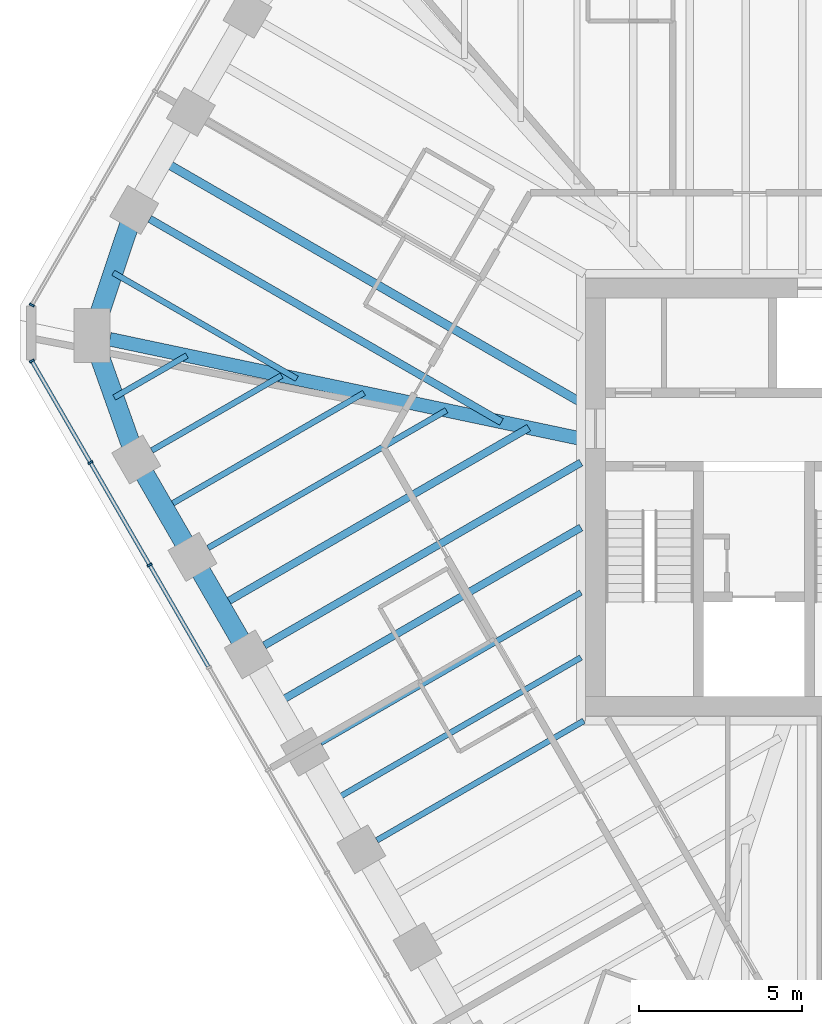
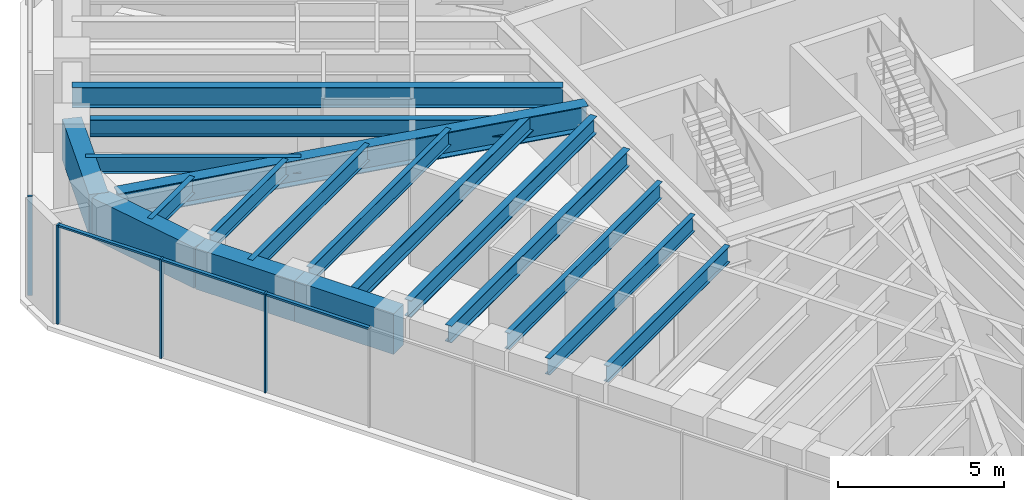
# One storey, part 3 of 14: 18 beams, 7 members, 2 elements without a shape of their own.
"""IFC4 building model written with IfcOpenShell, lengths in metres."""

import ifcopenshell
import ifcopenshell.guid

model = None  # the IFC model being written
_history = None  # IfcOwnerHistory: only IFC2X3 demands one
_inside = {}  # id of a spatial element -> (the spatial element, [elements in it])
_under = {}  # id of a project, library or spatial element -> (it, [spatial elements below it])
_declared = {}  # id of a project -> (the project, [libraries it declares])
_typed = {}  # id of a type object -> (the type object, [elements of that type])
_made_of = {}  # id of a material, layer set ... -> (it, [elements and type objects made of it])


def new_model(schema):
    """Start an empty IFC model of exactly this schema.

    Asked for "IFC4X3", IfcOpenShell would pick the latest addendum, in which some entities
    have other attributes; the version numbers below select the first issue.
    IFC2X3 requires an IfcOwnerHistory on every rooted entity: one is made here for all.
    """
    global model, _history
    if schema == "IFC4X3":
        model = ifcopenshell.file(schema_version=(4, 3, 0, 0))
    else:
        model = ifcopenshell.file(schema=schema)
    _inside.clear()
    _under.clear()
    _declared.clear()
    _typed.clear()
    _made_of.clear()
    _history = None
    if model.schema == "IFC2X3":
        org = make("IfcOrganization", Name="unknown")
        user = make(
            "IfcPersonAndOrganization",
            ThePerson=make("IfcPerson", FamilyName="unknown"),
            TheOrganization=org,
        )
        app = make(
            "IfcApplication",
            ApplicationDeveloper=org,
            Version="unknown",
            ApplicationFullName="unknown",
            ApplicationIdentifier="unknown",
        )
        _history = make(
            "IfcOwnerHistory",
            OwningUser=user,
            OwningApplication=app,
            ChangeAction="ADDED",
            CreationDate=0,
        )
    return model


def make(cls, **values):
    """One entity of the class cls with the attributes given. An attribute that is None is left unset."""
    return model.create_entity(
        cls, **{name: value for name, value in values.items() if value is not None}
    )


def rooted(cls, **values):
    """An entity with a GlobalId (a new one), such as an element, a storey or a relation."""
    return make(cls, GlobalId=ifcopenshell.guid.new(), OwnerHistory=_history, **values)


def si_unit(unit_type, name, prefix=None):
    """IfcSIUnit, for example si_unit("LENGTHUNIT", "METRE", prefix="MILLI")."""
    return make("IfcSIUnit", UnitType=unit_type, Prefix=prefix, Name=name)


def assignment(units):
    """IfcUnitAssignment: the units of a project."""
    return None if units is None else make("IfcUnitAssignment", Units=units)


def point(xyz):
    """IfcCartesianPoint."""
    return None if xyz is None else make("IfcCartesianPoint", Coordinates=xyz)


def direction(xyz):
    """IfcDirection."""
    return None if xyz is None else make("IfcDirection", DirectionRatios=xyz)


def frame(location, z_axis=None, x_axis=None):
    """IfcAxis2Placement3D, a coordinate frame: its origin and axes. An axis left out is left unset."""
    return make(
        "IfcAxis2Placement3D",
        Location=point(location),
        Axis=direction(z_axis),
        RefDirection=direction(x_axis),
    )


def frame_2d(location, x_axis=None):
    """IfcAxis2Placement2D, a coordinate frame in the plane: its origin and x axis."""
    return make(
        "IfcAxis2Placement2D", Location=point(location), RefDirection=direction(x_axis)
    )


def origin():
    """The frame at (0, 0, 0) with its axes left unset."""
    return frame((0.0, 0.0, 0.0))


def origin_2d():
    """The frame at (0, 0) in the plane with its x axis left unset."""
    return frame_2d((0.0, 0.0))


def place(relative_to, where):
    """IfcLocalPlacement: puts the frame where relative to a parent placement (None: the world)."""
    return make(
        "IfcLocalPlacement", PlacementRelTo=relative_to, RelativePlacement=where
    )


def context(
    kind, dimensions, precision=None, world=None, true_north=None, identifier=None
):
    """IfcGeometricRepresentationContext, for example the 3D "Model" context."""
    return make(
        "IfcGeometricRepresentationContext",
        ContextIdentifier=identifier,
        ContextType=kind,
        CoordinateSpaceDimension=dimensions,
        Precision=precision,
        WorldCoordinateSystem=world,
        TrueNorth=true_north,
    )


def subcontext(parent, identifier, kind, view, scale=None):
    """IfcGeometricRepresentationSubContext, for example "Body" below "Model"."""
    return make(
        "IfcGeometricRepresentationSubContext",
        ContextIdentifier=identifier,
        ContextType=kind,
        ParentContext=parent,
        TargetScale=scale,
        TargetView=view,
    )


def project(units=None, contexts=None):
    """IfcProject with its units and contexts."""
    return rooted(
        "IfcProject",
        Name="project",
        RepresentationContexts=contexts,
        UnitsInContext=assignment(units),
    )


def spatial(cls, under=None, at=None, **own):
    """A site, building, storey or space (cls), placed at a placement, below another one or the project."""
    s = rooted(cls, ObjectPlacement=at, **own)
    if under is not None:
        _under.setdefault(under.id(), (under, []))[1].append(s)
    return s


def profile(cls, at=None, kind="AREA", **sizes):
    """A parametric profile (cls). Its sizes go by their IFC names, for example OverallWidth=200.0."""
    return make(cls, ProfileType=kind, Position=at, **sizes)


def rectangle(**sizes):
    """IfcRectangleProfileDef."""
    return profile("IfcRectangleProfileDef", **sizes)


def i_section(**sizes):
    """IfcIShapeProfileDef."""
    return profile("IfcIShapeProfileDef", **sizes)


def extrude(swept, where, along, depth):
    """IfcExtrudedAreaSolid: the profile swept, set in the frame where, extruded along a direction by depth."""
    return make(
        "IfcExtrudedAreaSolid",
        SweptArea=swept,
        Position=where,
        ExtrudedDirection=direction(along),
        Depth=depth,
    )


def shape(context_of_items, identifier, shape_type, items):
    """IfcShapeRepresentation: the items that make up one representation, for example the "Body"."""
    return make(
        "IfcShapeRepresentation",
        ContextOfItems=context_of_items,
        RepresentationIdentifier=identifier,
        RepresentationType=shape_type,
        Items=items,
    )


def material(Name=None, Category=None):
    """IfcMaterial."""
    return make("IfcMaterial", Name=Name, Category=Category)


def material_profile(
    of_material, cross_section, Name=None, Category=None, Priority=None
):
    """IfcMaterialProfile: a cross section and its material."""
    return make(
        "IfcMaterialProfile",
        Name=Name,
        Material=of_material,
        Profile=cross_section,
        Priority=Priority,
        Category=Category,
    )


def profile_set(profiles, Name=None, composite=None):
    """IfcMaterialProfileSet."""
    return make(
        "IfcMaterialProfileSet",
        Name=Name,
        MaterialProfiles=profiles,
        CompositeProfile=composite,
    )


def made_of(thing, what):
    """Note that an element or type object is made of a material, layer set ...; save() writes the relation."""
    if what is not None:
        _made_of.setdefault(what.id(), (what, []))[1].append(thing)
    return thing


def type_object(cls, material=None, **own):
    """A type object (cls), such as IfcWallType, which elements share."""
    return made_of(rooted(cls, **own), material)


def element(
    cls,
    number,
    at=None,
    inside=None,
    cuts=None,
    type_object=None,
    material=None,
    context=None,
    identifier="Body",
    shape_type=None,
    held_by="IfcProductDefinitionShape",
    body=None,
    shapes=None,
    **own,
):
    """One element of the class cls, such as IfcWall. Its Tag is "e" and its number.

    at: its placement. inside: the storey or other place that contains it. cuts: it is an
    opening in that element (IfcRelVoidsElement). A single representation is given by context,
    identifier, shape_type and body (its items); several are given by shapes. held_by: the class
    of the entity that holds the representations. save() writes the other relations.
    """
    e = rooted(cls, Tag="e%d" % number, ObjectPlacement=at, **own)
    if body is not None:
        shapes = [shape(context, identifier, shape_type, body)]
    if shapes is not None:
        e.Representation = make(held_by, Representations=shapes)
    if inside is not None:
        _inside.setdefault(inside.id(), (inside, []))[1].append(e)
    if cuts is not None:
        rooted(
            "IfcRelVoidsElement", RelatingBuildingElement=cuts, RelatedOpeningElement=e
        )
    if type_object is not None:
        _typed.setdefault(type_object.id(), (type_object, []))[1].append(e)
    return made_of(e, material)


def aggregate(whole, parts):
    """IfcRelAggregates: a whole, such as a stair, and the parts it consists of."""
    return rooted("IfcRelAggregates", RelatingObject=whole, RelatedObjects=parts)


def save(model, path):
    """Write the relations noted so far, then the file.

    IfcRelAggregates (storeys below a building ...), IfcRelContainedInSpatialStructure (elements
    in a storey), IfcRelDefinesByType, IfcRelAssociatesMaterial and IfcRelDeclares: one each for
    every whole, place, type object, material and project.
    """
    for whole, parts in _under.values():
        aggregate(whole, parts)
    for where, things in _inside.values():
        rooted(
            "IfcRelContainedInSpatialStructure",
            RelatedElements=things,
            RelatingStructure=where,
        )
    for kind, things in _typed.values():
        rooted("IfcRelDefinesByType", RelatedObjects=things, RelatingType=kind)
    for what, things in _made_of.values():
        rooted("IfcRelAssociatesMaterial", RelatedObjects=things, RelatingMaterial=what)
    for by, libraries in _declared.values():
        rooted("IfcRelDeclares", RelatingContext=by, RelatedDefinitions=libraries)
    model.write(path)


model = new_model("IFC4")

# Units and contexts
model_context = context("Model", 3, precision=1e-05, world=origin(), true_north=direction((0.0, 1.0)))
body_context = subcontext(model_context, "Body", "Model", "MODEL_VIEW")
ifc_project = project(units=[si_unit("LENGTHUNIT", "METRE"), si_unit("AREAUNIT", "SQUARE_METRE"), si_unit("VOLUMEUNIT", "CUBIC_METRE"), si_unit("PLANEANGLEUNIT", "RADIAN"), si_unit("MASSUNIT", "GRAM", prefix="KILO")], contexts=[model_context])

# Site, building, storey
site_placement = place(None, origin())
site = spatial("IfcSite", under=ifc_project, at=site_placement, CompositionType="ELEMENT")
building_placement = place(site_placement, origin())
building = spatial("IfcBuilding", under=site, at=building_placement, Name="Sandreach Pilgrim Tower", CompositionType="ELEMENT")
storey_placement = place(building_placement, frame((0.0, 0.0, 276.0)))
storey = spatial("IfcBuildingStorey", under=building, at=storey_placement, Name="L69", CompositionType="ELEMENT", Elevation=276.0)

# Curtain wall, members
ifc_material_1 = material(Name="Aluminium framed curtain wall", Category="aluminium")
curtain_wall_type = type_object("IfcCurtainWallType", Name="Suite tower curtain wall", PredefinedType="NOTDEFINED", material=ifc_material_1)
curtain_wall_1_placement = place(storey_placement, origin())
curtain_wall_1 = element("IfcCurtainWall", 1, at=curtain_wall_1_placement, inside=storey, type_object=curtain_wall_type, Name="CW-4 L69 SW", PredefinedType="NOTDEFINED")
ifc_material_2 = material(Name="Aluminium extrusion", Category="aluminium")
ifc_material_profile_1 = material_profile(ifc_material_2, rectangle(XDim=0.06005859375, YDim=0.159912109375, at=origin_2d()), Name="CW-4M 60X160")
ifc_profile_set_1 = profile_set([ifc_material_profile_1], Name="Aluminium extrusion")
member_type_1 = type_object("IfcMemberType", Name="CW-4 mullion", PredefinedType="MULLION", material=ifc_profile_set_1)
member_1_placement = place(storey_placement, frame((-21.697509765625, -2.071533203125, 0.0), z_axis=(0.0, 0.0, 1.0), x_axis=(-0.5, 0.866025403784, 0.0)))
member_1 = element("IfcMember", 2, at=member_1_placement, type_object=member_type_1, Name="CW-4 mullion 8", PredefinedType="MULLION", context=body_context, shape_type="SweptSolid", body=[
    extrude(rectangle(XDim=0.06005859375, YDim=0.159912109375, at=origin_2d()), origin(), (0.0, 0.0, 1.0), 3.639892578125),
])
member_2_placement = place(storey_placement, frame((-23.508544921875, 1.06494140625, 0.0), z_axis=(0.0, 0.0, 1.0), x_axis=(-0.5, 0.866025403784, 0.0)))
member_2 = element("IfcMember", 3, at=member_2_placement, type_object=member_type_1, Name="CW-4 mullion 9", PredefinedType="MULLION", context=body_context, shape_type="SweptSolid", body=[
    extrude(rectangle(XDim=0.06005859375, YDim=0.159912109375, at=origin_2d()), origin(), (0.0, 0.0, 1.0), 3.639892578125),
])
member_3_placement = place(storey_placement, frame((-25.304443359375, 4.175537109375, 0.0), z_axis=(0.0, 0.0, 1.0), x_axis=(-0.5, 0.866025403784, 0.0)))
member_3 = element("IfcMember", 4, at=member_3_placement, type_object=member_type_1, Name="CW-4 mullion 10", PredefinedType="MULLION", context=body_context, shape_type="SweptSolid", body=[
    extrude(rectangle(XDim=0.06005859375, YDim=0.159912109375, at=origin_2d()), origin(), (0.0, 0.0, 1.0), 3.639892578125),
])

# Curtain wall, member
curtain_wall_2_placement = place(storey_placement, origin())
curtain_wall_2 = element("IfcCurtainWall", 5, at=curtain_wall_2_placement, inside=storey, type_object=curtain_wall_type, Name="CW-4 L69 NW", PredefinedType="NOTDEFINED")
member_4_placement = place(storey_placement, frame((-25.304443359375, 5.8876953125, 0.0), z_axis=(0.0, 0.0, 1.0), x_axis=(0.5, 0.866025403784, 0.0)))
member_4 = element("IfcMember", 6, at=member_4_placement, type_object=member_type_1, Name="CW-4 mullion 1", PredefinedType="MULLION", context=body_context, shape_type="SweptSolid", body=[
    extrude(rectangle(XDim=0.06005859375, YDim=0.159912109375, at=origin_2d()), origin(), (0.0, 0.0, 1.0), 3.639892578125),
])
aggregate(curtain_wall_2, [member_4])

# Member
ifc_material_3 = material(Name="Aluminium extrusion", Category="aluminium")
ifc_material_profile_2 = material_profile(ifc_material_3, rectangle(XDim=0.1201171875, YDim=0.070068359375, at=origin_2d()), Name="CW-4T 120X70")
ifc_profile_set_2 = profile_set([ifc_material_profile_2], Name="Aluminium extrusion")
member_type_2 = type_object("IfcMemberType", Name="CW-4 transom", PredefinedType="USERDEFINED", material=ifc_profile_set_2)
member_5_placement = place(storey_placement, frame((-19.901611328125, -5.182373046875, 3.60498046875), z_axis=(-0.500009219579, 0.866020080793, 0.0), x_axis=(-0.866020080793, -0.500009219579, 0.0)))
member_5 = element("IfcMember", 7, at=member_5_placement, type_object=member_type_2, Name="CW-4 head transom 7", ObjectType="TRANSOM", PredefinedType="USERDEFINED", context=body_context, shape_type="SweptSolid", body=[
    extrude(rectangle(XDim=0.1201171875, YDim=0.070068359375, at=origin_2d()), origin(), (0.0, 0.0, 1.0), 3.56201171875),
])

member_6_placement = place(storey_placement, frame((-21.71240234375, -2.045654296875, 3.60498046875), z_axis=(-0.500009219579, 0.866020080793, 0.0), x_axis=(-0.866020080793, -0.500009219579, 0.0)))
member_6 = element("IfcMember", 8, at=member_6_placement, type_object=member_type_2, Name="CW-4 head transom 8", ObjectType="TRANSOM", PredefinedType="USERDEFINED", context=body_context, shape_type="SweptSolid", body=[
    extrude(rectangle(XDim=0.1201171875, YDim=0.070068359375, at=origin_2d()), origin(), (0.0, 0.0, 1.0), 3.56201171875),
])

member_7_placement = place(storey_placement, frame((-23.5234375, 1.091064453125, 3.60498046875), z_axis=(-0.499997709859, 0.866026725994, 0.0), x_axis=(-0.866026725994, -0.499997709859, 0.0)))
member_7 = element("IfcMember", 9, at=member_7_placement, type_object=member_type_2, Name="CW-4 head transom 9", ObjectType="TRANSOM", PredefinedType="USERDEFINED", context=body_context, shape_type="SweptSolid", body=[
    extrude(rectangle(XDim=0.1201171875, YDim=0.070068359375, at=origin_2d()), origin(), (0.0, 0.0, 1.0), 3.53173828125),
])

aggregate(curtain_wall_1, [member_1, member_2, member_3, member_5, member_6, member_7])

# Beams
ifc_material_4 = material(Name="Steel ASTM A992 Grade 50", Category="steel")
ifc_material_profile_3 = material_profile(ifc_material_4, i_section(OverallWidth=0.419189453125, OverallDepth=0.927001953125, WebThickness=0.019287109375, FlangeThickness=0.031982421875, at=origin_2d()), Name="W36X231")
ifc_profile_set_3 = profile_set([ifc_material_profile_3], Name="Steel ASTM A992 Grade 50")
beam_type_1 = type_object("IfcBeamType", Name="Corner girder W36X231", PredefinedType="BEAM", material=ifc_profile_set_3)
beam_1_placement = place(storey_placement, frame((-22.917724609375, 4.838623046875, 3.176513671875), z_axis=(0.978430270369, -0.206577360876, 0.0), x_axis=(0.206577360876, 0.978430270369, 0.0)))
element("IfcBeam", 10, at=beam_1_placement, inside=storey, type_object=beam_type_1, Name="BM L69 CG35", PredefinedType="BEAM", context=body_context, shape_type="SweptSolid", body=[
    extrude(i_section(OverallWidth=0.419189453125, OverallDepth=0.927001953125, WebThickness=0.019287109375, FlangeThickness=0.031982421875, at=origin_2d()), origin(), (0.0, 0.0, 1.0), 14.888671875),
])
ifc_material_5 = material(Name="Steel ASTM A992 Grade 50", Category="steel")
ifc_material_profile_4 = material_profile(ifc_material_5, i_section(OverallWidth=0.1787109375, OverallDepth=0.60205078125, WebThickness=0.010986328125, FlangeThickness=0.014892578125, at=origin_2d()), Name="W24X62")
ifc_profile_set_4 = profile_set([ifc_material_profile_4], Name="Steel ASTM A992 Grade 50")
beam_type_2 = type_object("IfcBeamType", Name="Floor beam W24X62", PredefinedType="BEAM", material=ifc_profile_set_4)
beam_2_placement = place(storey_placement, frame((-14.741455078125, -10.5, 3.339111328125), z_axis=(0.866019920622, 0.500009496996, 0.0), x_axis=(-0.500009496996, 0.866019920622, 0.0)))
element("IfcBeam", 11, at=beam_2_placement, inside=storey, type_object=beam_type_2, Name="BM L69 F30", PredefinedType="BEAM", context=body_context, shape_type="SweptSolid", body=[
    extrude(i_section(OverallWidth=0.1787109375, OverallDepth=0.60205078125, WebThickness=0.010986328125, FlangeThickness=0.014892578125, at=origin_2d()), origin(), (0.0, 0.0, 1.0), 7.313232421875),
])
beam_3_placement = place(storey_placement, frame((-16.4638671875, -7.516357421875, 3.339111328125), z_axis=(0.866022580836, 0.500004889459, 0.0), x_axis=(-0.500004889459, 0.866022580836, 0.0)))
element("IfcBeam", 12, at=beam_3_placement, inside=storey, type_object=beam_type_2, Name="BM L69 F31", PredefinedType="BEAM", context=body_context, shape_type="SweptSolid", body=[
    extrude(i_section(OverallWidth=0.1787109375, OverallDepth=0.60205078125, WebThickness=0.010986328125, FlangeThickness=0.014892578125, at=origin_2d()), origin(), (0.0, 0.0, 1.0), 9.20361328125),
])
beam_4_placement = place(storey_placement, frame((-19.908935546875, -1.549560546875, 3.339111328125), z_axis=(0.866026819143, 0.499997548519, 0.0), x_axis=(-0.499997548519, 0.866026819143, 0.0)))
element("IfcBeam", 13, at=beam_4_placement, inside=storey, type_object=beam_type_2, Name="BM L69 F33", PredefinedType="BEAM", context=body_context, shape_type="SweptSolid", body=[
    extrude(i_section(OverallWidth=0.1787109375, OverallDepth=0.60205078125, WebThickness=0.010986328125, FlangeThickness=0.014892578125, at=origin_2d()), origin(), (0.0, 0.0, 1.0), 8.4248046875),
])
beam_5_placement = place(storey_placement, frame((-21.631591796875, 1.433837890625, 3.339111328125), z_axis=(0.866037621819, 0.499978837146, 0.0), x_axis=(-0.499978837146, 0.866037621819, 0.0)))
element("IfcBeam", 14, at=beam_5_placement, inside=storey, type_object=beam_type_2, Name="BM L69 F34", PredefinedType="BEAM", context=body_context, shape_type="SweptSolid", body=[
    extrude(i_section(OverallWidth=0.1787109375, OverallDepth=0.60205078125, WebThickness=0.010986328125, FlangeThickness=0.014892578125, at=origin_2d()), origin(), (0.0, 0.0, 1.0), 4.588623046875),
])
beam_6_placement = place(storey_placement, frame((-16.0791015625, -9.283203125, 3.339111328125), z_axis=(0.866023595995, 0.500003131169, 0.0), x_axis=(-0.500003131169, 0.866023595995, 0.0)))
element("IfcBeam", 15, at=beam_6_placement, inside=storey, type_object=beam_type_2, Name="BM L69 FM30", PredefinedType="BEAM", context=body_context, shape_type="SweptSolid", body=[
    extrude(i_section(OverallWidth=0.1787109375, OverallDepth=0.60205078125, WebThickness=0.010986328125, FlangeThickness=0.014892578125, at=origin_2d()), origin(), (0.0, 0.0, 1.0), 8.75927734375),
])
beam_7_placement = place(storey_placement, frame((-21.24658203125, -0.332763671875, 3.339111328125), z_axis=(0.866028878405, 0.499993981732, 0.0), x_axis=(-0.499993981732, 0.866028878405, 0.0)))
element("IfcBeam", 16, at=beam_7_placement, inside=storey, type_object=beam_type_2, Name="BM L69 FM33", PredefinedType="BEAM", context=body_context, shape_type="SweptSolid", body=[
    extrude(i_section(OverallWidth=0.1787109375, OverallDepth=0.60205078125, WebThickness=0.010986328125, FlangeThickness=0.014892578125, at=origin_2d()), origin(), (0.0, 0.0, 1.0), 7.056640625),
])
beam_8_placement = place(storey_placement, frame((-22.78173828125, 3.0556640625, 3.339111328125), z_axis=(0.8660004255, 0.500043261163, 0.0), x_axis=(-0.500043261163, 0.8660004255, 0.0)))
element("IfcBeam", 17, at=beam_8_placement, inside=storey, type_object=beam_type_2, Name="BM L69 FM34", PredefinedType="BEAM", context=body_context, shape_type="SweptSolid", body=[
    extrude(i_section(OverallWidth=0.1787109375, OverallDepth=0.60205078125, WebThickness=0.010986328125, FlangeThickness=0.014892578125, at=origin_2d()), origin(), (0.0, 0.0, 1.0), 2.569091796875),
])
beam_9_placement = place(storey_placement, frame((-22.8125, 6.875, 3.339111328125), z_axis=(0.866023980233, -0.500002465655, 0.0), x_axis=(0.500002465655, 0.866023980233, 0.0)))
element("IfcBeam", 18, at=beam_9_placement, inside=storey, type_object=beam_type_2, Name="BM L69 FM35", PredefinedType="BEAM", context=body_context, shape_type="SweptSolid", body=[
    extrude(i_section(OverallWidth=0.1787109375, OverallDepth=0.60205078125, WebThickness=0.010986328125, FlangeThickness=0.014892578125, at=origin_2d()), origin(), (0.0, 0.0, 1.0), 6.49072265625),
])
ifc_material_6 = material(Name="Steel ASTM A992 Grade 50", Category="steel")
ifc_material_profile_5 = material_profile(ifc_material_6, i_section(OverallWidth=0.23046875, OverallDepth=0.6171875, WebThickness=0.01318359375, FlangeThickness=0.022216796875, at=origin_2d()), Name="W24X94")
ifc_profile_set_5 = profile_set([ifc_material_profile_5], Name="Steel ASTM A992 Grade 50")
beam_type_3 = type_object("IfcBeamType", Name="Floor beam W24X94", PredefinedType="BEAM", material=ifc_profile_set_5)
beam_10_placement = place(storey_placement, frame((-18.1865234375, -4.532958984375, 3.331298828125), z_axis=(0.866030482771, 0.499991202833, 0.0), x_axis=(-0.499991202833, 0.866030482771, 0.0)))
element("IfcBeam", 19, at=beam_10_placement, inside=storey, type_object=beam_type_3, Name="BM L69 F32", PredefinedType="BEAM", context=body_context, shape_type="SweptSolid", body=[
    extrude(i_section(OverallWidth=0.23046875, OverallDepth=0.6171875, WebThickness=0.01318359375, FlangeThickness=0.022216796875, at=origin_2d()), origin(), (0.0, 0.0, 1.0), 11.192626953125),
])
beam_11_placement = place(storey_placement, frame((-21.69287109375, 8.522705078125, 3.331298828125), z_axis=(0.866028931402, -0.499993889937, 0.0), x_axis=(0.499993889937, 0.866028931402, 0.0)))
element("IfcBeam", 20, at=beam_11_placement, inside=storey, type_object=beam_type_3, Name="BM L69 F36", PredefinedType="BEAM", context=body_context, shape_type="SweptSolid", body=[
    extrude(i_section(OverallWidth=0.23046875, OverallDepth=0.6171875, WebThickness=0.01318359375, FlangeThickness=0.022216796875, at=origin_2d()), origin(), (0.0, 0.0, 1.0), 12.431396484375),
])
beam_12_placement = place(storey_placement, frame((-17.801513671875, -6.2998046875, 3.331298828125), z_axis=(0.866025958161, 0.49999903979, 0.0), x_axis=(-0.49999903979, 0.866025958161, 0.0)))
element("IfcBeam", 21, at=beam_12_placement, inside=storey, type_object=beam_type_3, Name="BM L69 FM31", PredefinedType="BEAM", context=body_context, shape_type="SweptSolid", body=[
    extrude(i_section(OverallWidth=0.23046875, OverallDepth=0.6171875, WebThickness=0.01318359375, FlangeThickness=0.022216796875, at=origin_2d()), origin(), (0.0, 0.0, 1.0), 10.748046875),
])
beam_13_placement = place(storey_placement, frame((-19.52392578125, -3.316162109375, 3.331298828125), z_axis=(0.866029205616, 0.499993414976, 0.0), x_axis=(-0.499993414976, 0.866029205616, 0.0)))
element("IfcBeam", 22, at=beam_13_placement, inside=storey, type_object=beam_type_3, Name="BM L69 FM32", PredefinedType="BEAM", context=body_context, shape_type="SweptSolid", body=[
    extrude(i_section(OverallWidth=0.23046875, OverallDepth=0.6171875, WebThickness=0.01318359375, FlangeThickness=0.022216796875, at=origin_2d()), origin(), (0.0, 0.0, 1.0), 10.893310546875),
])
ifc_material_7 = material(Name="Steel ASTM A992 Grade 50", Category="steel")
ifc_material_profile_6 = material_profile(ifc_material_7, i_section(OverallWidth=0.2666015625, OverallDepth=0.761962890625, WebThickness=0.014404296875, FlangeThickness=0.021484375, at=origin_2d()), Name="W30X116")
ifc_profile_set_6 = profile_set([ifc_material_profile_6], Name="Steel ASTM A992 Grade 50")
beam_type_4 = type_object("IfcBeamType", Name="Floor beam W30X116", PredefinedType="BEAM", material=ifc_profile_set_6)
beam_14_placement = place(storey_placement, frame((-21.302978515625, 10.29833984375, 3.259033203125), z_axis=(0.866028362181, -0.499994875871, 0.0), x_axis=(0.499994875871, 0.866028362181, 0.0)))
element("IfcBeam", 23, at=beam_14_placement, inside=storey, type_object=beam_type_4, Name="BM L69 FM36", PredefinedType="BEAM", context=body_context, shape_type="SweptSolid", body=[
    extrude(i_section(OverallWidth=0.2666015625, OverallDepth=0.761962890625, WebThickness=0.014404296875, FlangeThickness=0.021484375, at=origin_2d()), origin(), (0.0, 0.0, 1.0), 14.791259765625),
])
ifc_material_8 = material(Name="Concrete 10000 psi", Category="concrete")
ifc_material_profile_7 = material_profile(ifc_material_8, rectangle(XDim=0.60009765625, YDim=1.5, at=origin_2d()), Name="RC600X1500")
ifc_profile_set_7 = profile_set([ifc_material_profile_7], Name="Concrete 10000 psi")
beam_type_5 = type_object("IfcBeamType", Name="Spandrel beam RC600X1500", PredefinedType="SPANDREL", material=ifc_profile_set_7)
for number, where, z_axis, x_axis, name in (
    (24, (-18.662841796875, -4.80810546875, 2.889892578125), (-0.499957605418, 0.866049878924, 0.0), (-0.866049878924, -0.499957605418, 0.0), "BM L69 SP32"),
    (25, (-20.38525390625, -1.824462890625, 2.889892578125), (-0.500041441558, 0.866001476168, 0.0), (-0.866001476168, -0.500041441558, 0.0), "BM L69 SP33"),
):
    element("IfcBeam", number, at=place(storey_placement, frame(where, z_axis=z_axis, x_axis=x_axis)), inside=storey, type_object=beam_type_5, Name=name, PredefinedType="SPANDREL", context=body_context, shape_type="SweptSolid", body=[
        extrude(rectangle(XDim=0.60009765625, YDim=1.5, at=origin_2d()), origin(), (0.0, 0.0, 1.0), 3.445068359375),
    ])
beam_15_placement = place(storey_placement, frame((-22.10791015625, 1.158935546875, 2.889892578125), z_axis=(-0.33481464839, 0.94228400773, 0.0), x_axis=(-0.94228400773, -0.33481464839, 0.0)))
element("IfcBeam", 26, at=beam_15_placement, inside=storey, type_object=beam_type_5, Name="BM L69 SP34", PredefinedType="SPANDREL", context=body_context, shape_type="SweptSolid", body=[
    extrude(rectangle(XDim=0.60009765625, YDim=1.5, at=origin_2d()), origin(), (0.0, 0.0, 1.0), 4.02587890625),
])
beam_16_placement = place(storey_placement, frame((-23.455810546875, 4.952392578125, 2.889892578125), z_axis=(0.317293238289, 0.948327475578, 0.0), x_axis=(-0.948327475578, 0.317293238289, 0.0)))
element("IfcBeam", 27, at=beam_16_placement, inside=storey, type_object=beam_type_5, Name="BM L69 SP35", PredefinedType="SPANDREL", context=body_context, shape_type="SweptSolid", body=[
    extrude(rectangle(XDim=0.60009765625, YDim=1.5, at=origin_2d()), origin(), (0.0, 0.0, 1.0), 4.054931640625),
])

save(model, "model.ifc")
